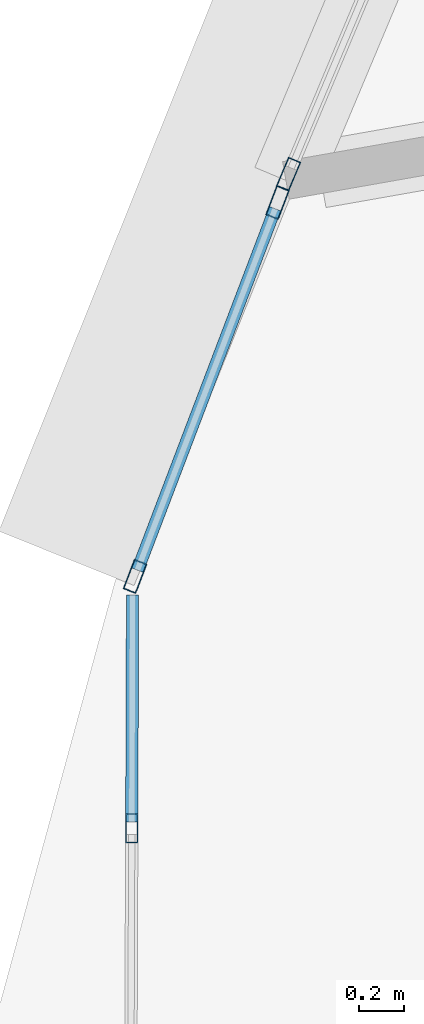
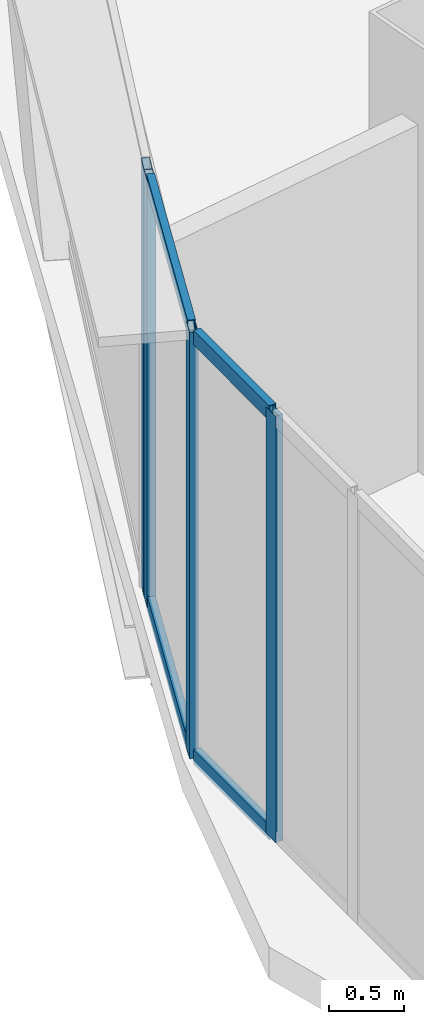
# One storey, part 4 of 36: 8 members, 3 elements without a shape of their own.
"""IFC4 building model written with IfcOpenShell, lengths in metres."""

from ifc_helpers import new_model, si_unit, direction, frame, origin, origin_2d, place, context, subcontext, project, spatial, hollow_rectangle, extrude, source, transform, mapped, material, layer, layer_set, material_profile, profile_set, type_object, element, aggregate, save


model = new_model("IFC4")

# Units and contexts
model_context = context("Model", 3, precision=1e-05, world=origin(), true_north=direction((0.0, 1.0)))
body_context = subcontext(model_context, "Body", "Model", "MODEL_VIEW")
ifc_project = project(units=[si_unit("LENGTHUNIT", "METRE"), si_unit("AREAUNIT", "SQUARE_METRE"), si_unit("VOLUMEUNIT", "CUBIC_METRE"), si_unit("PLANEANGLEUNIT", "RADIAN"), si_unit("MASSUNIT", "GRAM", prefix="KILO"), si_unit("THERMODYNAMICTEMPERATUREUNIT", "KELVIN"), si_unit("POWERUNIT", "WATT")], contexts=[model_context])

# Site, building, storey
site_placement = place(None, origin())
site = spatial("IfcSite", under=ifc_project, at=site_placement, CompositionType="ELEMENT")
building_placement = place(site_placement, origin())
building = spatial("IfcBuilding", under=site, at=building_placement, Name="Yunzhuo Pagoda Commons", CompositionType="ELEMENT")
storey_placement = place(building_placement, frame((0.0, 0.0, 244.530029296875)))
storey = spatial("IfcBuildingStorey", under=building, at=storey_placement, Name="L61", CompositionType="ELEMENT", Elevation=244.530029296875)

# Curtain wall, member
ifc_material = material(Name="Anodized aluminium 6063-T6", Category="aluminium")
ifc_layer_1 = layer(ifc_material, 0.139892578125)
ifc_layer_set_1 = layer_set([ifc_layer_1], Name="Anodized aluminium 6063-T6")
curtain_wall_type_1 = type_object("IfcCurtainWallType", Name="CW-HI High-Zone Ribbon Curtain Wall", PredefinedType="NOTDEFINED", material=ifc_layer_set_1)
curtain_wall_1_placement = place(storey_placement, origin())
curtain_wall_1 = element("IfcCurtainWall", 1, at=curtain_wall_1_placement, inside=storey, type_object=curtain_wall_type_1, Name="L61 curtain wall CW-L61-F3B4", PredefinedType="NOTDEFINED")
ifc_material_profile_1 = material_profile(ifc_material, hollow_rectangle(XDim=0.06005859375, YDim=0.139892578125, WallThickness=0.00341796875, at=origin_2d()), Name="Anodized aluminium 6063-T6")
ifc_profile_set_1 = profile_set([ifc_material_profile_1], Name="Anodized aluminium 6063-T6")
member_type_1 = type_object("IfcMemberType", Name="CW-HI-M Mullion RHS 140x60x3.5", PredefinedType="MULLION", material=ifc_profile_set_1)
shared_shape_1 = source(origin(), body_context, "Body", "SweptSolid", [
    extrude(hollow_rectangle(XDim=0.06005859375, YDim=0.139892578125, WallThickness=0.00341796875, at=origin_2d()), origin(), (0.0, 0.0, 1.0), 3.469970703125),
])
member_1_placement = place(storey_placement, frame((13.4072265625, 27.6259765625, 0.0), z_axis=(0.0, 0.0, 1.0), x_axis=(0.922008372235, -0.387169938824, 0.0)))
member_1 = element("IfcMember", 2, at=member_1_placement, type_object=member_type_1, Name="CW mullion 2", PredefinedType="MULLION", context=body_context, shape_type="MappedRepresentation", body=[
    mapped(shared_shape_1, transform((0.0, 0.0, 0.0), scale=1.0)),
])
aggregate(curtain_wall_1, [member_1])

# Curtain wall, members
curtain_wall_2_placement = place(storey_placement, origin())
curtain_wall_2 = element("IfcCurtainWall", 3, at=curtain_wall_2_placement, inside=storey, type_object=curtain_wall_type_1, Name="L61 curtain wall CW-L61-F3B5", PredefinedType="NOTDEFINED")
member_2_placement = place(storey_placement, frame((13.358154296875, 27.500244140625, 0.0), z_axis=(0.0, 0.0, 1.0), x_axis=(0.934441330585, -0.356117115139, 0.0)))
member_2 = element("IfcMember", 4, at=member_2_placement, type_object=member_type_1, Name="CW mullion 1", PredefinedType="MULLION", context=body_context, shape_type="MappedRepresentation", body=[
    mapped(shared_shape_1, transform((0.0, 0.0, 0.0), scale=1.0)),
])
member_3_placement = place(storey_placement, frame((12.722900390625, 25.833251953125, 0.0), z_axis=(0.0, 0.0, 1.0), x_axis=(0.934441330585, -0.356117115139, 0.0)))
member_3 = element("IfcMember", 5, at=member_3_placement, type_object=member_type_1, Name="CW mullion 2", PredefinedType="MULLION", context=body_context, shape_type="MappedRepresentation", body=[
    mapped(shared_shape_1, transform((0.0, 0.0, 0.0), scale=1.0)),
])
ifc_material_profile_2 = material_profile(ifc_material, hollow_rectangle(XDim=0.054931640625, YDim=0.1201171875, WallThickness=0.00341796875, at=origin_2d()), Name="Anodized aluminium 6063-T6")
ifc_profile_set_2 = profile_set([ifc_material_profile_2], Name="Anodized aluminium 6063-T6")
member_type_2 = type_object("IfcMemberType", Name="CW-HI-T Transom RHS 120x55x3.5", PredefinedType="USERDEFINED", material=ifc_profile_set_2)
shared_shape_2 = source(origin(), body_context, "Body", "SweptSolid", [
    extrude(hollow_rectangle(XDim=0.054931640625, YDim=0.1201171875, WallThickness=0.00341796875, at=origin_2d()), origin(), (0.0, 0.0, 1.0), 1.723876953125),
])
member_4_placement = place(storey_placement, frame((13.347412109375, 27.47216796875, 0.027587890625), z_axis=(-0.356054221933, -0.934465296864, 0.0), x_axis=(0.934465296864, -0.356054221933, 0.0)))
member_4 = element("IfcMember", 6, at=member_4_placement, type_object=member_type_2, Name="CW transom 1.1", ObjectType="TRANSOM", PredefinedType="USERDEFINED", context=body_context, shape_type="MappedRepresentation", body=[
    mapped(shared_shape_2, transform((0.0, 0.0, 0.0), scale=1.0)),
])
member_5_placement = place(storey_placement, frame((13.347412109375, 27.47216796875, 3.4423828125), z_axis=(-0.356054221933, -0.934465296864, 0.0), x_axis=(0.934465296864, -0.356054221933, 0.0)))
member_5 = element("IfcMember", 7, at=member_5_placement, type_object=member_type_2, Name="CW transom 1.2", ObjectType="TRANSOM", PredefinedType="USERDEFINED", context=body_context, shape_type="MappedRepresentation", body=[
    mapped(shared_shape_2, transform((0.0, 0.0, 0.0), scale=1.0)),
])
aggregate(curtain_wall_2, [member_2, member_3, member_4, member_5])

ifc_layer_2 = layer(ifc_material, 0.1298828125)
ifc_layer_set_2 = layer_set([ifc_layer_2], Name="Anodized aluminium 6063-T6")
curtain_wall_type_2 = type_object("IfcCurtainWallType", Name="CW-VTX Rounded Corner Curtain Wall", PredefinedType="NOTDEFINED", material=ifc_layer_set_2)
curtain_wall_3_placement = place(storey_placement, origin())
curtain_wall_3 = element("IfcCurtainWall", 8, at=curtain_wall_3_placement, inside=storey, type_object=curtain_wall_type_2, Name="L61 curtain wall CW-L61-VTX1S1", PredefinedType="NOTDEFINED")
ifc_material_profile_3 = material_profile(ifc_material, hollow_rectangle(XDim=0.054931640625, YDim=0.1201171875, WallThickness=0.00341796875, at=origin_2d()), Name="Anodized aluminium 6063-T6")
ifc_profile_set_3 = profile_set([ifc_material_profile_3], Name="Anodized aluminium 6063-T6")
member_type_3 = type_object("IfcMemberType", Name="CW-VTX-T Transom RHS 120x55x3.5", PredefinedType="USERDEFINED", material=ifc_profile_set_3)
shared_shape_3 = source(origin(), body_context, "Body", "SweptSolid", [
    extrude(hollow_rectangle(XDim=0.054931640625, YDim=0.1201171875, WallThickness=0.00341796875, at=origin_2d()), origin(), (0.0, 0.0, 1.0), 1.011962890625),
])
member_6_placement = place(storey_placement, frame((12.7119140625, 25.750244140625, 0.027587890625), z_axis=(-0.003618794157, -0.999993452143, 0.0), x_axis=(0.999993452143, -0.003618794157, 0.0)))
member_6 = element("IfcMember", 9, at=member_6_placement, type_object=member_type_3, Name="CW transom 1.1", ObjectType="TRANSOM", PredefinedType="USERDEFINED", context=body_context, shape_type="MappedRepresentation", body=[
    mapped(shared_shape_3, transform((0.0, 0.0, 0.0), scale=1.0)),
])
member_7_placement = place(storey_placement, frame((12.7119140625, 25.750244140625, 3.4423828125), z_axis=(-0.003618794157, -0.999993452143, 0.0), x_axis=(0.999993452143, -0.003618794157, 0.0)))
member_7 = element("IfcMember", 10, at=member_7_placement, type_object=member_type_3, Name="CW transom 1.2", ObjectType="TRANSOM", PredefinedType="USERDEFINED", context=body_context, shape_type="MappedRepresentation", body=[
    mapped(shared_shape_3, transform((0.0, 0.0, 0.0), scale=1.0)),
])
ifc_material_profile_4 = material_profile(ifc_material, hollow_rectangle(XDim=0.054931640625, YDim=0.1298828125, WallThickness=0.00341796875, at=origin_2d()), Name="Anodized aluminium 6063-T6")
ifc_profile_set_4 = profile_set([ifc_material_profile_4], Name="Anodized aluminium 6063-T6")
member_type_4 = type_object("IfcMemberType", Name="CW-VTX-M Mullion RHS 130x55x3.5", PredefinedType="MULLION", material=ifc_profile_set_4)
shared_shape_4 = source(origin(), body_context, "Body", "SweptSolid", [
    extrude(hollow_rectangle(XDim=0.054931640625, YDim=0.1298828125, WallThickness=0.00341796875, at=origin_2d()), origin(), (0.0, 0.0, 1.0), 3.469970703125),
])
member_8_placement = place(storey_placement, frame((12.708251953125, 24.710693359375, 0.0), z_axis=(0.0, 0.0, 1.0), x_axis=(0.999993571429, -0.003585679809, 0.0)))
member_8 = element("IfcMember", 11, at=member_8_placement, type_object=member_type_4, Name="CW mullion 2", PredefinedType="MULLION", context=body_context, shape_type="MappedRepresentation", body=[
    mapped(shared_shape_4, transform((0.0, 0.0, 0.0), scale=1.0)),
])
aggregate(curtain_wall_3, [member_8, member_6, member_7])

save(model, "model.ifc")
